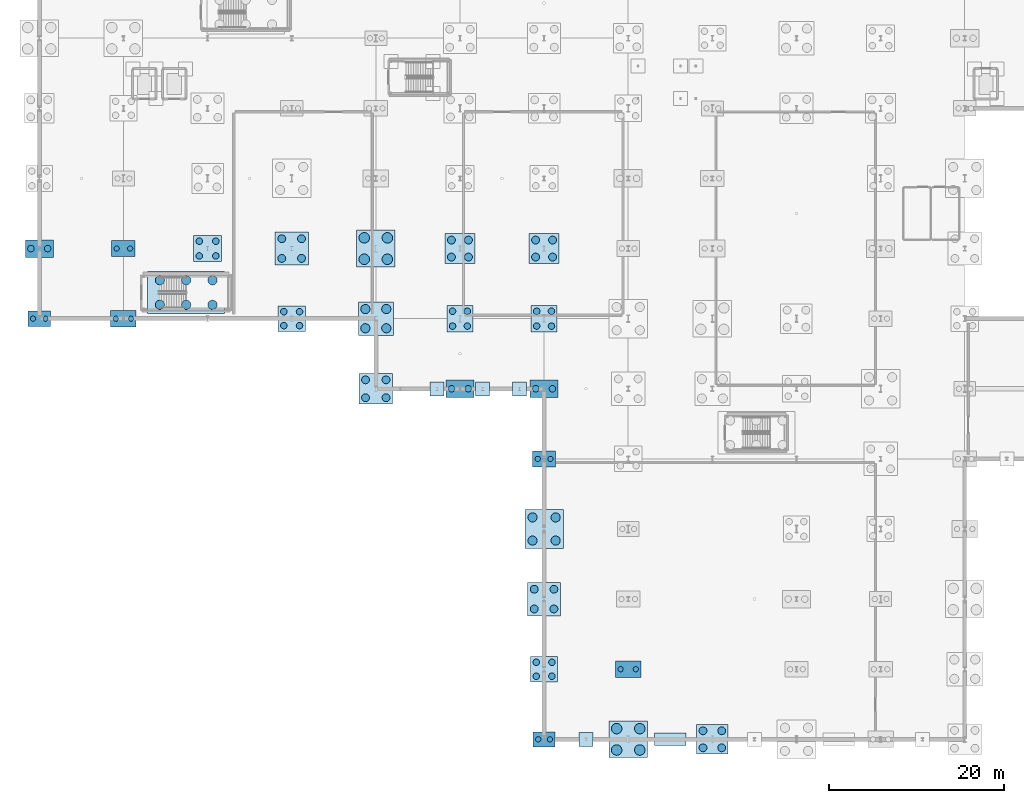
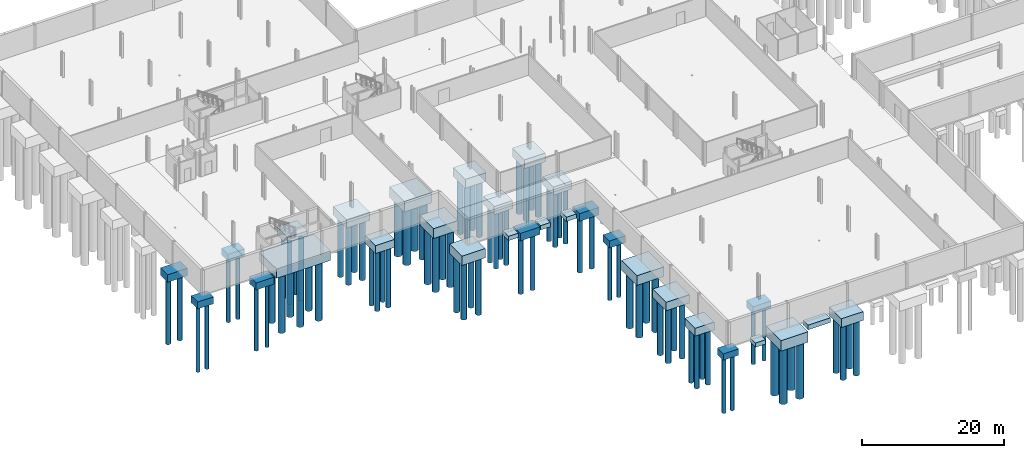
# One storey, part 1 of 47: 84 piles, 30 footings.
"""IFC4 building model written with IfcOpenShell, lengths in metres."""

from ifc_helpers import new_model, si_unit, direction, frame, origin, origin_2d, place, context, subcontext, project, spatial, rectangle, circle, extrude, material, material_profile, profile_set, type_object, element, save


model = new_model("IFC4")

# Units and contexts
model_context = context("Model", 3, precision=1e-05, world=origin(), true_north=direction((0.0, 1.0)))
body_context = subcontext(model_context, "Body", "Model", "MODEL_VIEW")
ifc_project = project(units=[si_unit("LENGTHUNIT", "METRE"), si_unit("AREAUNIT", "SQUARE_METRE"), si_unit("VOLUMEUNIT", "CUBIC_METRE"), si_unit("PLANEANGLEUNIT", "RADIAN"), si_unit("MASSUNIT", "GRAM", prefix="KILO")], contexts=[model_context])

# Site, building, storey
site_placement = place(None, origin())
site = spatial("IfcSite", under=ifc_project, at=site_placement, CompositionType="ELEMENT")
building_placement = place(site_placement, origin())
building = spatial("IfcBuilding", under=site, at=building_placement, Name="Alderhovde Museum", CompositionType="ELEMENT")
storey_placement = place(building_placement, frame((0.0, 0.0, -4.5)))
storey = spatial("IfcBuildingStorey", under=building, at=storey_placement, Name="B1", CompositionType="ELEMENT", Elevation=-4.5)

# Footings
ifc_material_1 = material(Name="Concrete C40/50", Category="concrete")
footing_type_1 = type_object("IfcFootingType", Name="PC-2500x1700x1100", PredefinedType="PILE_CAP", material=ifc_material_1)
footing_1_placement = place(storey_placement, frame((67.199951171875, 0.0, -1.5), z_axis=(0.0, 0.0, 1.0), x_axis=(1.0, 0.0, 0.0)))
element("IfcFooting", 1, at=footing_1_placement, inside=storey, type_object=footing_type_1, Name="Pile Cap at (67.2, 0.0)", PredefinedType="PILE_CAP", context=body_context, shape_type="SweptSolid", body=[
    extrude(rectangle(XDim=2.5, YDim=1.699951171875, at=origin_2d()), origin(), (0.0, 0.0, 1.0), 1.10009765625),
])
ifc_material_2 = material(Name="Concrete C40/50", Category="concrete")
footing_type_2 = type_object("IfcFootingType", Name="PC-2600x1800x1200", PredefinedType="PILE_CAP", material=ifc_material_2)
for number, where, z_axis, x_axis, name in (
    (2, (9.60009765625, 48.0, -1.60009765625), (0.0, 0.0, 1.0), (1.0, 0.0, 0.0), "Pile Cap at (9.6, 48.0)"),
    (3, (67.199951171875, 32.0, -1.60009765625), (0.0, 0.0, 1.0), (1.0, 0.0, 0.0), "Pile Cap at (67.2, 32.0)"),
):
    element("IfcFooting", number, at=place(storey_placement, frame(where, z_axis=z_axis, x_axis=x_axis)), inside=storey, type_object=footing_type_2, Name=name, PredefinedType="PILE_CAP", context=body_context, shape_type="SweptSolid", body=[
        extrude(rectangle(XDim=2.60009765625, YDim=1.800048828125, at=origin_2d()), origin(), (0.0, 0.0, 1.0), 1.199951171875),
    ])
ifc_material_3 = material(Name="Concrete C40/50", Category="concrete")
footing_type_3 = type_object("IfcFootingType", Name="PC-2700x1800x1200", PredefinedType="PILE_CAP", material=ifc_material_3)
footing_2_placement = place(storey_placement, frame((19.199951171875, 56.0, -1.60009765625), z_axis=(0.0, 0.0, 1.0), x_axis=(1.0, 0.0, 0.0)))
element("IfcFooting", 4, at=footing_2_placement, inside=storey, type_object=footing_type_3, Name="Pile Cap at (19.2, 56.0)", PredefinedType="PILE_CAP", context=body_context, shape_type="SweptSolid", body=[
    extrude(rectangle(XDim=2.699951171875, YDim=1.800048828125, at=origin_2d()), origin(), (0.0, 0.0, 1.0), 1.199951171875),
])
ifc_material_4 = material(Name="Concrete C40/50", Category="concrete")
footing_type_4 = type_object("IfcFootingType", Name="PC-2900x1900x1200", PredefinedType="PILE_CAP", material=ifc_material_4)
for number, where, z_axis, x_axis, name in (
    (5, (19.199951171875, 48.0, -1.60009765625), (0.0, 0.0, 1.0), (1.0, 0.0, 0.0), "Pile Cap at (19.2, 48.0)"),
    (6, (76.800048828125, 8.0, -1.60009765625), (0.0, 0.0, 1.0), (1.0, 0.0, 0.0), "Pile Cap at (76.8, 8.0)"),
):
    element("IfcFooting", number, at=place(storey_placement, frame(where, z_axis=z_axis, x_axis=x_axis)), inside=storey, type_object=footing_type_4, Name=name, PredefinedType="PILE_CAP", context=body_context, shape_type="SweptSolid", body=[
        extrude(rectangle(XDim=2.89990234375, YDim=1.89990234375, at=origin_2d()), origin(), (0.0, 0.0, 1.0), 1.199951171875),
    ])
ifc_material_5 = material(Name="Concrete C40/50", Category="concrete")
footing_type_5 = type_object("IfcFootingType", Name="PC-3000x3000x1400", PredefinedType="PILE_CAP", material=ifc_material_5)
for number, where, z_axis, x_axis, name in (
    (7, (57.60009765625, 48.0, -1.800048828125), (0.0, 0.0, 1.0), (1.0, 0.0, 0.0), "Pile Cap at (57.6, 48.0)"),
    (8, (67.199951171875, 48.0, -1.800048828125), (0.0, 0.0, 1.0), (1.0, 0.0, 0.0), "Pile Cap at (67.2, 48.0)"),
):
    element("IfcFooting", number, at=place(storey_placement, frame(where, z_axis=z_axis, x_axis=x_axis)), inside=storey, type_object=footing_type_5, Name=name, PredefinedType="PILE_CAP", context=body_context, shape_type="SweptSolid", body=[
        extrude(rectangle(XDim=3.0, YDim=3.0, at=origin_2d()), origin(), (0.0, 0.0, 1.0), 1.39990234375),
    ])
ifc_material_6 = material(Name="Concrete C40/50", Category="concrete")
footing_type_6 = type_object("IfcFootingType", Name="PC-3100x2900x1350", PredefinedType="PILE_CAP", material=ifc_material_6)
for number, where, z_axis, x_axis, name in (
    (9, (38.39990234375, 48.0, -1.75), (0.0, 0.0, 1.0), (1.0, 0.0, 0.0), "Pile Cap at (38.4, 48.0)"),
    (10, (67.199951171875, 8.0, -1.75), (0.0, 0.0, 1.0), (1.0, 0.0, 0.0), "Pile Cap at (67.2, 8.0)"),
):
    element("IfcFooting", number, at=place(storey_placement, frame(where, z_axis=z_axis, x_axis=x_axis)), inside=storey, type_object=footing_type_6, Name=name, PredefinedType="PILE_CAP", context=body_context, shape_type="SweptSolid", body=[
        extrude(rectangle(XDim=3.10009765625, YDim=2.89990234375, at=origin_2d()), origin(), (0.0, 0.0, 1.0), 1.35009765625),
    ])
ifc_material_7 = material(Name="Concrete C40/50", Category="concrete")
footing_type_7 = type_object("IfcFootingType", Name="PC-3200x2000x1300", PredefinedType="PILE_CAP", material=ifc_material_7)
for number, where, z_axis, x_axis, name in (
    (11, (9.60009765625, 56.0, -1.7001953125), (0.0, 0.0, 1.0), (1.0, 0.0, 0.0), "Pile Cap at (9.6, 56.0)"),
    (12, (57.60009765625, 40.0, -1.7001953125), (0.0, 0.0, 1.0), (1.0, 0.0, 0.0), "Pile Cap at (57.6, 40.0)"),
    (13, (67.199951171875, 40.0, -1.7001953125), (0.0, 0.0, 1.0), (1.0, 0.0, 0.0), "Pile Cap at (67.2, 40.0)"),
):
    element("IfcFooting", number, at=place(storey_placement, frame(where, z_axis=z_axis, x_axis=x_axis)), inside=storey, type_object=footing_type_7, Name=name, PredefinedType="PILE_CAP", context=body_context, shape_type="SweptSolid", body=[
        extrude(rectangle(XDim=3.199951171875, YDim=2.0, at=origin_2d()), origin(), (0.0, 0.0, 1.0), 1.300048828125),
    ])
ifc_material_8 = material(Name="Concrete C40/50", Category="concrete")
footing_type_8 = type_object("IfcFootingType", Name="PC-3200x3000x1400", PredefinedType="PILE_CAP", material=ifc_material_8)
footing_3_placement = place(storey_placement, frame((28.800048828125, 56.0, -1.800048828125), z_axis=(0.0, 0.0, 1.0), x_axis=(1.0, 0.0, 0.0)))
element("IfcFooting", 14, at=footing_3_placement, inside=storey, type_object=footing_type_8, Name="Pile Cap at (28.8, 56.0)", PredefinedType="PILE_CAP", context=body_context, shape_type="SweptSolid", body=[
    extrude(rectangle(XDim=3.199951171875, YDim=3.0, at=origin_2d()), origin(), (0.0, 0.0, 1.0), 1.39990234375),
])
ifc_material_9 = material(Name="Concrete C40/50", Category="concrete")
footing_type_9 = type_object("IfcFootingType", Name="PC-3400x3400x1500", PredefinedType="PILE_CAP", material=ifc_material_9)
for number, where, z_axis, x_axis, name in (
    (15, (57.60009765625, 56.0, -1.89990234375), (0.0, 0.0, 1.0), (1.0, 0.0, 0.0), "Pile Cap at (57.6, 56.0)"),
    (16, (67.199951171875, 56.0, -1.89990234375), (0.0, 0.0, 1.0), (1.0, 0.0, 0.0), "Pile Cap at (67.2, 56.0)"),
):
    element("IfcFooting", number, at=place(storey_placement, frame(where, z_axis=z_axis, x_axis=x_axis)), inside=storey, type_object=footing_type_9, Name=name, PredefinedType="PILE_CAP", context=body_context, shape_type="SweptSolid", body=[
        extrude(rectangle(XDim=3.39990234375, YDim=3.39990234375, at=origin_2d()), origin(), (0.0, 0.0, 1.0), 1.5),
    ])
ifc_material_10 = material(Name="Concrete C40/50", Category="concrete")
footing_type_10 = type_object("IfcFootingType", Name="PC-3600x3400x1500", PredefinedType="PILE_CAP", material=ifc_material_10)
footing_4_placement = place(storey_placement, frame((86.39990234375, 0.0, -1.89990234375), z_axis=(0.0, 0.0, 1.0), x_axis=(1.0, 0.0, 0.0)))
element("IfcFooting", 17, at=footing_4_placement, inside=storey, type_object=footing_type_10, Name="Pile Cap at (86.4, 0.0)", PredefinedType="PILE_CAP", context=body_context, shape_type="SweptSolid", body=[
    extrude(rectangle(XDim=3.60009765625, YDim=3.39990234375, at=origin_2d()), origin(), (0.0, 0.0, 1.0), 1.5),
])
ifc_material_11 = material(Name="Concrete C40/50", Category="concrete")
footing_type_11 = type_object("IfcFootingType", Name="PC-3800x3500x1600", PredefinedType="PILE_CAP", material=ifc_material_11)
footing_5_placement = place(storey_placement, frame((48.0, 40.0, -2.0), z_axis=(0.0, 0.0, 1.0), x_axis=(1.0, 0.0, 0.0)))
element("IfcFooting", 18, at=footing_5_placement, inside=storey, type_object=footing_type_11, Name="Pile Cap at (48.0, 40.0)", PredefinedType="PILE_CAP", context=body_context, shape_type="SweptSolid", body=[
    extrude(rectangle(XDim=3.800048828125, YDim=3.5, at=origin_2d()), origin(), (0.0, 0.0, 1.0), 1.60009765625),
])
ifc_material_12 = material(Name="Concrete C40/50", Category="concrete")
footing_type_12 = type_object("IfcFootingType", Name="PC-3800x3800x1450", PredefinedType="PILE_CAP", material=ifc_material_12)
for number, where, z_axis, x_axis, name in (
    (19, (38.39990234375, 56.0, -1.85009765625), (0.0, 0.0, 1.0), (1.0, 0.0, 0.0), "Pile Cap at (38.4, 56.0)"),
    (20, (67.199951171875, 16.0, -1.85009765625), (0.0, 0.0, 1.0), (1.0, 0.0, 0.0), "Pile Cap at (67.2, 16.0)"),
):
    element("IfcFooting", number, at=place(storey_placement, frame(where, z_axis=z_axis, x_axis=x_axis)), inside=storey, type_object=footing_type_12, Name=name, PredefinedType="PILE_CAP", context=body_context, shape_type="SweptSolid", body=[
        extrude(rectangle(XDim=3.800048828125, YDim=3.800048828125, at=origin_2d()), origin(), (0.0, 0.0, 1.0), 1.449951171875),
    ])
ifc_material_13 = material(Name="Concrete C40/50", Category="concrete")
footing_type_13 = type_object("IfcFootingType", Name="PC-4000x3800x1700", PredefinedType="PILE_CAP", material=ifc_material_13)
footing_6_placement = place(storey_placement, frame((48.0, 48.0, -2.10009765625), z_axis=(0.0, 0.0, 1.0), x_axis=(1.0, 0.0, 0.0)))
element("IfcFooting", 21, at=footing_6_placement, inside=storey, type_object=footing_type_13, Name="Pile Cap at (48.0, 48.0)", PredefinedType="PILE_CAP", context=body_context, shape_type="SweptSolid", body=[
    extrude(rectangle(XDim=4.0, YDim=3.800048828125, at=origin_2d()), origin(), (0.0, 0.0, 1.0), 1.699951171875),
])
ifc_material_14 = material(Name="Concrete C40/50", Category="concrete")
footing_type_14 = type_object("IfcFootingType", Name="PC-4400x4200x1800", PredefinedType="PILE_CAP", material=ifc_material_14)
for number, where, z_axis, x_axis, name in (
    (22, (48.0, 56.0, -2.2001953125), (0.0, 0.0, 1.0), (1.0, 0.0, 0.0), "Pile Cap at (48.0, 56.0)"),
    (23, (76.800048828125, 0.0, -2.2001953125), (0.0, 0.0, 1.0), (1.0, 0.0, 0.0), "Pile Cap at (76.8, 0.0)"),
):
    element("IfcFooting", number, at=place(storey_placement, frame(where, z_axis=z_axis, x_axis=x_axis)), inside=storey, type_object=footing_type_14, Name=name, PredefinedType="PILE_CAP", context=body_context, shape_type="SweptSolid", body=[
        extrude(rectangle(XDim=4.39990234375, YDim=4.199951171875, at=origin_2d()), origin(), (0.0, 0.0, 1.0), 1.800048828125),
    ])
ifc_material_15 = material(Name="Concrete C40/50", Category="concrete")
footing_type_15 = type_object("IfcFootingType", Name="PC-4400x4400x1650", PredefinedType="PILE_CAP", material=ifc_material_15)
footing_7_placement = place(storey_placement, frame((67.199951171875, 24.0, -2.050048828125), z_axis=(0.0, 0.0, 1.0), x_axis=(1.0, 0.0, 0.0)))
element("IfcFooting", 24, at=footing_7_placement, inside=storey, type_object=footing_type_15, Name="Pile Cap at (67.2, 24.0)", PredefinedType="PILE_CAP", context=body_context, shape_type="SweptSolid", body=[
    extrude(rectangle(XDim=4.39990234375, YDim=4.39990234375, at=origin_2d()), origin(), (0.0, 0.0, 1.0), 1.64990234375),
])
ifc_material_16 = material(Name="Concrete C40/50", Category="concrete")
footing_type_16 = type_object("IfcFootingType", Name="PC-CORE-8800x4800x1600", PredefinedType="PILE_CAP", material=ifc_material_16)
footing_8_placement = place(storey_placement, frame((26.360107421875, 50.97998046875, -2.0), z_axis=(0.0, 0.0, 1.0), x_axis=(1.0, 0.0, 0.0)))
element("IfcFooting", 25, at=footing_8_placement, inside=storey, type_object=footing_type_16, Name="Core Pile Cap ST1", PredefinedType="PILE_CAP", context=body_context, shape_type="SweptSolid", body=[
    extrude(rectangle(XDim=8.800048828125, YDim=4.800048828125, at=origin_2d()), origin(), (0.0, 0.0, 1.0), 1.60009765625),
])
ifc_material_17 = material(Name="Concrete C40/50", Category="concrete")
footing_type_17 = type_object("IfcFootingType", Name="PF-1600x1600x750", PredefinedType="PAD_FOOTING", material=ifc_material_17)
for number, where, z_axis, x_axis, name in (
    (26, (55.0, 40.0, -1.14990234375), (0.0, 0.0, 1.0), (1.0, 0.0, 0.0), "Portico Colonnade Pad Footing X=55.0"),
    (27, (60.199951171875, 40.0, -1.14990234375), (0.0, 0.0, 1.0), (1.0, 0.0, 0.0), "Portico Colonnade Pad Footing X=60.2"),
    (28, (64.39990234375, 40.0, -1.14990234375), (0.0, 0.0, 1.0), (1.0, 0.0, 0.0), "Portico Colonnade Pad Footing X=64.4"),
    (29, (72.0, 0.0, -1.14990234375), (0.0, 0.0, 1.0), (1.0, 0.0, 0.0), "Pilaster Pad Footing (72.0, 0.0)"),
):
    element("IfcFooting", number, at=place(storey_placement, frame(where, z_axis=z_axis, x_axis=x_axis)), inside=storey, type_object=footing_type_17, Name=name, PredefinedType="PAD_FOOTING", context=body_context, shape_type="SweptSolid", body=[
        extrude(rectangle(XDim=1.60009765625, YDim=1.60009765625, at=origin_2d()), origin(), (0.0, 0.0, 1.0), 0.75),
    ])

# Piles
ifc_material_18 = material(Name="Concrete C40/50", Category="concrete")
ifc_material_profile_1 = material_profile(ifc_material_18, circle(Radius=0.52490234375, at=origin_2d()), Name="PILE-D1050")
ifc_profile_set_1 = profile_set([ifc_material_profile_1], Name="Concrete C40/50")
pile_type_1 = type_object("IfcPileType", Name="PIL-D1050", PredefinedType="BORED", material=ifc_profile_set_1)
for number, where, z_axis, x_axis, name in (
    (30, (23.360107421875, 49.580078125, -1.89990234375), (0.0, 0.0, -1.0), (1.0, 0.0, 0.0), "Core Bored Pile ST1-P1"),
    (31, (26.360107421875, 49.580078125, -1.89990234375), (0.0, 0.0, -1.0), (1.0, 0.0, 0.0), "Core Bored Pile ST1-P2"),
    (32, (29.360107421875, 49.580078125, -1.89990234375), (0.0, 0.0, -1.0), (1.0, 0.0, 0.0), "Core Bored Pile ST1-P3"),
    (33, (23.360107421875, 52.3798828125, -1.89990234375), (0.0, 0.0, -1.0), (1.0, 0.0, 0.0), "Core Bored Pile ST1-P4"),
    (34, (26.360107421875, 52.3798828125, -1.89990234375), (0.0, 0.0, -1.0), (1.0, 0.0, 0.0), "Core Bored Pile ST1-P5"),
    (35, (29.360107421875, 52.3798828125, -1.89990234375), (0.0, 0.0, -1.0), (1.0, 0.0, 0.0), "Core Bored Pile ST1-P6"),
):
    element("IfcPile", number, at=place(storey_placement, frame(where, z_axis=z_axis, x_axis=x_axis)), inside=storey, type_object=pile_type_1, Name=name, PredefinedType="BORED", context=body_context, shape_type="SweptSolid", body=[
        extrude(circle(Radius=0.52490234375, at=origin_2d()), origin(), (0.0, 0.0, 1.0), 10.30908203125),
    ])
for number, where, z_axis, x_axis, name in (
    (36, (46.804931640625, 46.905029296875, -2.0), (0.0, 0.0, -1.0), (1.0, 0.0, 0.0), "Bored Pile PC-0480-0480-P1"),
    (37, (49.195068359375, 46.905029296875, -2.0), (0.0, 0.0, -1.0), (1.0, 0.0, 0.0), "Bored Pile PC-0480-0480-P2"),
    (38, (46.804931640625, 49.094970703125, -2.0), (0.0, 0.0, -1.0), (1.0, 0.0, 0.0), "Bored Pile PC-0480-0480-P3"),
    (39, (49.195068359375, 49.094970703125, -2.0), (0.0, 0.0, -1.0), (1.0, 0.0, 0.0), "Bored Pile PC-0480-0480-P4"),
):
    element("IfcPile", number, at=place(storey_placement, frame(where, z_axis=z_axis, x_axis=x_axis)), inside=storey, type_object=pile_type_1, Name=name, PredefinedType="BORED", context=body_context, shape_type="SweptSolid", body=[
        extrude(circle(Radius=0.52490234375, at=origin_2d()), origin(), (0.0, 0.0, 1.0), 9.763916015625),
    ])
for number, where, z_axis, x_axis, name in (
    (40, (65.8798828125, 22.679931640625, -1.949951171875), (0.0, 0.0, -1.0), (1.0, 0.0, 0.0), "Bored Pile PC-0672-0240-P1"),
    (41, (68.52001953125, 22.679931640625, -1.949951171875), (0.0, 0.0, -1.0), (1.0, 0.0, 0.0), "Bored Pile PC-0672-0240-P2"),
    (42, (65.8798828125, 25.320068359375, -1.949951171875), (0.0, 0.0, -1.0), (1.0, 0.0, 0.0), "Bored Pile PC-0672-0240-P3"),
    (43, (68.52001953125, 25.320068359375, -1.949951171875), (0.0, 0.0, -1.0), (1.0, 0.0, 0.0), "Bored Pile PC-0672-0240-P4"),
):
    element("IfcPile", number, at=place(storey_placement, frame(where, z_axis=z_axis, x_axis=x_axis)), inside=storey, type_object=pile_type_1, Name=name, PredefinedType="BORED", context=body_context, shape_type="SweptSolid", body=[
        extrude(circle(Radius=0.52490234375, at=origin_2d()), origin(), (0.0, 0.0, 1.0), 9.625),
    ])
ifc_material_19 = material(Name="Concrete C40/50", Category="concrete")
ifc_material_profile_2 = material_profile(ifc_material_19, circle(Radius=0.60009765625, at=origin_2d()), Name="PILE-D1200")
ifc_profile_set_2 = profile_set([ifc_material_profile_2], Name="Concrete C40/50")
pile_type_2 = type_object("IfcPileType", Name="PIL-D1200", PredefinedType="BORED", material=ifc_profile_set_2)
for number, where, z_axis, x_axis, name in (
    (44, (46.679931640625, 54.780029296875, -2.10009765625), (0.0, 0.0, -1.0), (1.0, 0.0, 0.0), "Bored Pile PC-0480-0560-P1"),
    (45, (49.320068359375, 54.780029296875, -2.10009765625), (0.0, 0.0, -1.0), (1.0, 0.0, 0.0), "Bored Pile PC-0480-0560-P2"),
    (46, (46.679931640625, 57.219970703125, -2.10009765625), (0.0, 0.0, -1.0), (1.0, 0.0, 0.0), "Bored Pile PC-0480-0560-P3"),
    (47, (49.320068359375, 57.219970703125, -2.10009765625), (0.0, 0.0, -1.0), (1.0, 0.0, 0.0), "Bored Pile PC-0480-0560-P4"),
    (48, (75.47998046875, -1.219970703125, -2.10009765625), (0.0, 0.0, -1.0), (1.0, 0.0, 0.0), "Bored Pile PC-0768-0000-P1"),
    (49, (78.1201171875, -1.219970703125, -2.10009765625), (0.0, 0.0, -1.0), (1.0, 0.0, 0.0), "Bored Pile PC-0768-0000-P2"),
    (50, (75.47998046875, 1.219970703125, -2.10009765625), (0.0, 0.0, -1.0), (1.0, 0.0, 0.0), "Bored Pile PC-0768-0000-P3"),
    (51, (78.1201171875, 1.219970703125, -2.10009765625), (0.0, 0.0, -1.0), (1.0, 0.0, 0.0), "Bored Pile PC-0768-0000-P4"),
):
    element("IfcPile", number, at=place(storey_placement, frame(where, z_axis=z_axis, x_axis=x_axis)), inside=storey, type_object=pile_type_2, Name=name, PredefinedType="BORED", context=body_context, shape_type="SweptSolid", body=[
        extrude(circle(Radius=0.60009765625, at=origin_2d()), origin(), (0.0, 0.0, 1.0), 9.699951171875),
    ])
ifc_material_20 = material(Name="Concrete C40/50", Category="concrete")
ifc_material_profile_3 = material_profile(ifc_material_20, circle(Radius=0.300048828125, at=origin_2d()), Name="PILE-D600")
ifc_profile_set_3 = profile_set([ifc_material_profile_3], Name="Concrete C40/50")
pile_type_3 = type_object("IfcPileType", Name="PIL-D600", PredefinedType="BORED", material=ifc_profile_set_3)
for number, where, z_axis, x_axis, name in (
    (52, (8.8798828125, 48.0, -1.5), (0.0, 0.0, -1.0), (1.0, 0.0, 0.0), "Bored Pile PC-0096-0480-P1"),
    (53, (10.320068359375, 48.0, -1.5), (0.0, 0.0, -1.0), (1.0, 0.0, 0.0), "Bored Pile PC-0096-0480-P2"),
):
    element("IfcPile", number, at=place(storey_placement, frame(where, z_axis=z_axis, x_axis=x_axis)), inside=storey, type_object=pile_type_3, Name=name, PredefinedType="BORED", context=body_context, shape_type="SweptSolid", body=[
        extrude(circle(Radius=0.300048828125, at=origin_2d()), origin(), (0.0, 0.0, 1.0), 11.492919921875),
    ])
for number, where, z_axis, x_axis, name in (
    (54, (18.330078125, 48.0, -1.5), (0.0, 0.0, -1.0), (1.0, 0.0, 0.0), "Bored Pile PC-0192-0480-P1"),
    (55, (20.070068359375, 48.0, -1.5), (0.0, 0.0, -1.0), (1.0, 0.0, 0.0), "Bored Pile PC-0192-0480-P2"),
    (56, (18.429931640625, 56.0, -1.5), (0.0, 0.0, -1.0), (1.0, 0.0, 0.0), "Bored Pile PC-0192-0560-P1"),
    (57, (19.969970703125, 56.0, -1.5), (0.0, 0.0, -1.0), (1.0, 0.0, 0.0), "Bored Pile PC-0192-0560-P2"),
):
    element("IfcPile", number, at=place(storey_placement, frame(where, z_axis=z_axis, x_axis=x_axis)), inside=storey, type_object=pile_type_3, Name=name, PredefinedType="BORED", context=body_context, shape_type="SweptSolid", body=[
        extrude(circle(Radius=0.300048828125, at=origin_2d()), origin(), (0.0, 0.0, 1.0), 11.18603515625),
    ])
for number, where, z_axis, x_axis, name in (
    (58, (66.530029296875, 0.0, -1.39990234375), (0.0, 0.0, -1.0), (1.0, 0.0, 0.0), "Bored Pile PC-0672-0000-P1"),
    (59, (67.8701171875, 0.0, -1.39990234375), (0.0, 0.0, -1.0), (1.0, 0.0, 0.0), "Bored Pile PC-0672-0000-P2"),
):
    element("IfcPile", number, at=place(storey_placement, frame(where, z_axis=z_axis, x_axis=x_axis)), inside=storey, type_object=pile_type_3, Name=name, PredefinedType="BORED", context=body_context, shape_type="SweptSolid", body=[
        extrude(circle(Radius=0.300048828125, at=origin_2d()), origin(), (0.0, 0.0, 1.0), 9.75),
    ])
for number, where, z_axis, x_axis, name in (
    (60, (66.47998046875, 32.0, -1.5), (0.0, 0.0, -1.0), (1.0, 0.0, 0.0), "Bored Pile PC-0672-0320-P1"),
    (61, (67.919921875, 32.0, -1.5), (0.0, 0.0, -1.0), (1.0, 0.0, 0.0), "Bored Pile PC-0672-0320-P2"),
):
    element("IfcPile", number, at=place(storey_placement, frame(where, z_axis=z_axis, x_axis=x_axis)), inside=storey, type_object=pile_type_3, Name=name, PredefinedType="BORED", context=body_context, shape_type="SweptSolid", body=[
        extrude(circle(Radius=0.300048828125, at=origin_2d()), origin(), (0.0, 0.0, 1.0), 9.64990234375),
    ])
for number, where, z_axis, x_axis, name in (
    (62, (75.929931640625, 8.0, -1.5), (0.0, 0.0, -1.0), (1.0, 0.0, 0.0), "Bored Pile PC-0768-0080-P1"),
    (63, (77.669921875, 8.0, -1.5), (0.0, 0.0, -1.0), (1.0, 0.0, 0.0), "Bored Pile PC-0768-0080-P2"),
):
    element("IfcPile", number, at=place(storey_placement, frame(where, z_axis=z_axis, x_axis=x_axis)), inside=storey, type_object=pile_type_3, Name=name, PredefinedType="BORED", context=body_context, shape_type="SweptSolid", body=[
        extrude(circle(Radius=0.300048828125, at=origin_2d()), origin(), (0.0, 0.0, 1.0), 9.39990234375),
    ])
ifc_material_21 = material(Name="Concrete C40/50", Category="concrete")
ifc_material_profile_4 = material_profile(ifc_material_21, circle(Radius=0.375, at=origin_2d()), Name="PILE-D750")
ifc_profile_set_4 = profile_set([ifc_material_profile_4], Name="Concrete C40/50")
pile_type_4 = type_object("IfcPileType", Name="PIL-D750", PredefinedType="BORED", material=ifc_profile_set_4)
for number, where, z_axis, x_axis, name in (
    (64, (8.64990234375, 56.0, -1.60009765625), (0.0, 0.0, -1.0), (1.0, 0.0, 0.0), "Bored Pile PC-0096-0560-P1"),
    (65, (10.550048828125, 56.0, -1.60009765625), (0.0, 0.0, -1.0), (1.0, 0.0, 0.0), "Bored Pile PC-0096-0560-P2"),
):
    element("IfcPile", number, at=place(storey_placement, frame(where, z_axis=z_axis, x_axis=x_axis)), inside=storey, type_object=pile_type_4, Name=name, PredefinedType="BORED", context=body_context, shape_type="SweptSolid", body=[
        extrude(circle(Radius=0.375, at=origin_2d()), origin(), (0.0, 0.0, 1.0), 11.39306640625),
    ])
for number, where, z_axis, x_axis, name in (
    (66, (27.85498046875, 55.155029296875, -1.699951171875), (0.0, 0.0, -1.0), (1.0, 0.0, 0.0), "Bored Pile PC-0288-0560-P1"),
    (67, (29.7451171875, 55.155029296875, -1.699951171875), (0.0, 0.0, -1.0), (1.0, 0.0, 0.0), "Bored Pile PC-0288-0560-P2"),
    (68, (27.85498046875, 56.844970703125, -1.699951171875), (0.0, 0.0, -1.0), (1.0, 0.0, 0.0), "Bored Pile PC-0288-0560-P3"),
    (69, (29.7451171875, 56.844970703125, -1.699951171875), (0.0, 0.0, -1.0), (1.0, 0.0, 0.0), "Bored Pile PC-0288-0560-P4"),
):
    element("IfcPile", number, at=place(storey_placement, frame(where, z_axis=z_axis, x_axis=x_axis)), inside=storey, type_object=pile_type_4, Name=name, PredefinedType="BORED", context=body_context, shape_type="SweptSolid", body=[
        extrude(circle(Radius=0.375, at=origin_2d()), origin(), (0.0, 0.0, 1.0), 10.677978515625),
    ])
for number, where, z_axis, x_axis, name in (
    (70, (37.5048828125, 47.205078125, -1.64990234375), (0.0, 0.0, -1.0), (1.0, 0.0, 0.0), "Bored Pile PC-0384-0480-P1"),
    (71, (39.294921875, 47.205078125, -1.64990234375), (0.0, 0.0, -1.0), (1.0, 0.0, 0.0), "Bored Pile PC-0384-0480-P2"),
    (72, (37.5048828125, 48.794921875, -1.64990234375), (0.0, 0.0, -1.0), (1.0, 0.0, 0.0), "Bored Pile PC-0384-0480-P3"),
    (73, (39.294921875, 48.794921875, -1.64990234375), (0.0, 0.0, -1.0), (1.0, 0.0, 0.0), "Bored Pile PC-0384-0480-P4"),
):
    element("IfcPile", number, at=place(storey_placement, frame(where, z_axis=z_axis, x_axis=x_axis)), inside=storey, type_object=pile_type_4, Name=name, PredefinedType="BORED", context=body_context, shape_type="SweptSolid", body=[
        extrude(circle(Radius=0.375, at=origin_2d()), origin(), (0.0, 0.0, 1.0), 10.4208984375),
    ])
for number, where, z_axis, x_axis, name in (
    (74, (56.64990234375, 40.0, -1.60009765625), (0.0, 0.0, -1.0), (1.0, 0.0, 0.0), "Bored Pile PC-0576-0400-P1"),
    (75, (58.550048828125, 40.0, -1.60009765625), (0.0, 0.0, -1.0), (1.0, 0.0, 0.0), "Bored Pile PC-0576-0400-P2"),
):
    element("IfcPile", number, at=place(storey_placement, frame(where, z_axis=z_axis, x_axis=x_axis)), inside=storey, type_object=pile_type_4, Name=name, PredefinedType="BORED", context=body_context, shape_type="SweptSolid", body=[
        extrude(circle(Radius=0.375, at=origin_2d()), origin(), (0.0, 0.0, 1.0), 9.85693359375),
    ])
for number, where, z_axis, x_axis, name in (
    (76, (56.7548828125, 47.155029296875, -1.699951171875), (0.0, 0.0, -1.0), (1.0, 0.0, 0.0), "Bored Pile PC-0576-0480-P1"),
    (77, (58.445068359375, 47.155029296875, -1.699951171875), (0.0, 0.0, -1.0), (1.0, 0.0, 0.0), "Bored Pile PC-0576-0480-P2"),
    (78, (56.7548828125, 48.844970703125, -1.699951171875), (0.0, 0.0, -1.0), (1.0, 0.0, 0.0), "Bored Pile PC-0576-0480-P3"),
    (79, (58.445068359375, 48.844970703125, -1.699951171875), (0.0, 0.0, -1.0), (1.0, 0.0, 0.0), "Bored Pile PC-0576-0480-P4"),
):
    element("IfcPile", number, at=place(storey_placement, frame(where, z_axis=z_axis, x_axis=x_axis)), inside=storey, type_object=pile_type_4, Name=name, PredefinedType="BORED", context=body_context, shape_type="SweptSolid", body=[
        extrude(circle(Radius=0.375, at=origin_2d()), origin(), (0.0, 0.0, 1.0), 9.757080078125),
    ])
for number, where, z_axis, x_axis, name in (
    (80, (66.304931640625, 7.205078125, -1.64990234375), (0.0, 0.0, -1.0), (1.0, 0.0, 0.0), "Bored Pile PC-0672-0080-P1"),
    (81, (68.094970703125, 7.205078125, -1.64990234375), (0.0, 0.0, -1.0), (1.0, 0.0, 0.0), "Bored Pile PC-0672-0080-P2"),
    (82, (66.304931640625, 8.794921875, -1.64990234375), (0.0, 0.0, -1.0), (1.0, 0.0, 0.0), "Bored Pile PC-0672-0080-P3"),
    (83, (68.094970703125, 8.794921875, -1.64990234375), (0.0, 0.0, -1.0), (1.0, 0.0, 0.0), "Bored Pile PC-0672-0080-P4"),
):
    element("IfcPile", number, at=place(storey_placement, frame(where, z_axis=z_axis, x_axis=x_axis)), inside=storey, type_object=pile_type_4, Name=name, PredefinedType="BORED", context=body_context, shape_type="SweptSolid", body=[
        extrude(circle(Radius=0.375, at=origin_2d()), origin(), (0.0, 0.0, 1.0), 9.5),
    ])
for number, where, z_axis, x_axis, name in (
    (84, (66.25, 40.0, -1.60009765625), (0.0, 0.0, -1.0), (1.0, 0.0, 0.0), "Bored Pile PC-0672-0400-P1"),
    (85, (68.14990234375, 40.0, -1.60009765625), (0.0, 0.0, -1.0), (1.0, 0.0, 0.0), "Bored Pile PC-0672-0400-P2"),
):
    element("IfcPile", number, at=place(storey_placement, frame(where, z_axis=z_axis, x_axis=x_axis)), inside=storey, type_object=pile_type_4, Name=name, PredefinedType="BORED", context=body_context, shape_type="SweptSolid", body=[
        extrude(circle(Radius=0.375, at=origin_2d()), origin(), (0.0, 0.0, 1.0), 9.550048828125),
    ])
for number, where, z_axis, x_axis, name in (
    (86, (66.35498046875, 47.155029296875, -1.699951171875), (0.0, 0.0, -1.0), (1.0, 0.0, 0.0), "Bored Pile PC-0672-0480-P1"),
    (87, (68.044921875, 47.155029296875, -1.699951171875), (0.0, 0.0, -1.0), (1.0, 0.0, 0.0), "Bored Pile PC-0672-0480-P2"),
    (88, (66.35498046875, 48.844970703125, -1.699951171875), (0.0, 0.0, -1.0), (1.0, 0.0, 0.0), "Bored Pile PC-0672-0480-P3"),
    (89, (68.044921875, 48.844970703125, -1.699951171875), (0.0, 0.0, -1.0), (1.0, 0.0, 0.0), "Bored Pile PC-0672-0480-P4"),
):
    element("IfcPile", number, at=place(storey_placement, frame(where, z_axis=z_axis, x_axis=x_axis)), inside=storey, type_object=pile_type_4, Name=name, PredefinedType="BORED", context=body_context, shape_type="SweptSolid", body=[
        extrude(circle(Radius=0.375, at=origin_2d()), origin(), (0.0, 0.0, 1.0), 9.449951171875),
    ])
ifc_material_22 = material(Name="Concrete C40/50", Category="concrete")
ifc_material_profile_5 = material_profile(ifc_material_22, circle(Radius=0.449951171875, at=origin_2d()), Name="PILE-D900")
ifc_profile_set_5 = profile_set([ifc_material_profile_5], Name="Concrete C40/50")
pile_type_5 = type_object("IfcPileType", Name="PIL-D900", PredefinedType="BORED", material=ifc_profile_set_5)
for number, where, z_axis, x_axis, name in (
    (90, (37.27490234375, 54.875, -1.75), (0.0, 0.0, -1.0), (1.0, 0.0, 0.0), "Bored Pile PC-0384-0560-P1"),
    (91, (39.52490234375, 54.875, -1.75), (0.0, 0.0, -1.0), (1.0, 0.0, 0.0), "Bored Pile PC-0384-0560-P2"),
    (92, (37.27490234375, 57.125, -1.75), (0.0, 0.0, -1.0), (1.0, 0.0, 0.0), "Bored Pile PC-0384-0560-P3"),
    (93, (39.52490234375, 57.125, -1.75), (0.0, 0.0, -1.0), (1.0, 0.0, 0.0), "Bored Pile PC-0384-0560-P4"),
):
    element("IfcPile", number, at=place(storey_placement, frame(where, z_axis=z_axis, x_axis=x_axis)), inside=storey, type_object=pile_type_5, Name=name, PredefinedType="BORED", context=body_context, shape_type="SweptSolid", body=[
        extrude(circle(Radius=0.449951171875, at=origin_2d()), origin(), (0.0, 0.0, 1.0), 10.321044921875),
    ])
for number, where, z_axis, x_axis, name in (
    (94, (46.830078125, 38.97998046875, -1.89990234375), (0.0, 0.0, -1.0), (1.0, 0.0, 0.0), "Bored Pile PC-0480-0400-P1"),
    (95, (49.169921875, 38.97998046875, -1.89990234375), (0.0, 0.0, -1.0), (1.0, 0.0, 0.0), "Bored Pile PC-0480-0400-P2"),
    (96, (46.830078125, 41.02001953125, -1.89990234375), (0.0, 0.0, -1.0), (1.0, 0.0, 0.0), "Bored Pile PC-0480-0400-P3"),
    (97, (49.169921875, 41.02001953125, -1.89990234375), (0.0, 0.0, -1.0), (1.0, 0.0, 0.0), "Bored Pile PC-0480-0400-P4"),
):
    element("IfcPile", number, at=place(storey_placement, frame(where, z_axis=z_axis, x_axis=x_axis)), inside=storey, type_object=pile_type_5, Name=name, PredefinedType="BORED", context=body_context, shape_type="SweptSolid", body=[
        extrude(circle(Radius=0.449951171875, at=origin_2d()), origin(), (0.0, 0.0, 1.0), 9.864013671875),
    ])
for number, where, z_axis, x_axis, name in (
    (98, (56.6298828125, 55.030029296875, -1.800048828125), (0.0, 0.0, -1.0), (1.0, 0.0, 0.0), "Bored Pile PC-0576-0560-P1"),
    (99, (58.570068359375, 55.030029296875, -1.800048828125), (0.0, 0.0, -1.0), (1.0, 0.0, 0.0), "Bored Pile PC-0576-0560-P2"),
    (100, (56.6298828125, 56.969970703125, -1.800048828125), (0.0, 0.0, -1.0), (1.0, 0.0, 0.0), "Bored Pile PC-0576-0560-P3"),
    (101, (58.570068359375, 56.969970703125, -1.800048828125), (0.0, 0.0, -1.0), (1.0, 0.0, 0.0), "Bored Pile PC-0576-0560-P4"),
):
    element("IfcPile", number, at=place(storey_placement, frame(where, z_axis=z_axis, x_axis=x_axis)), inside=storey, type_object=pile_type_5, Name=name, PredefinedType="BORED", context=body_context, shape_type="SweptSolid", body=[
        extrude(circle(Radius=0.449951171875, at=origin_2d()), origin(), (0.0, 0.0, 1.0), 9.656982421875),
    ])
for number, where, z_axis, x_axis, name in (
    (102, (66.074951171875, 14.875, -1.75), (0.0, 0.0, -1.0), (1.0, 0.0, 0.0), "Bored Pile PC-0672-0160-P1"),
    (103, (68.324951171875, 14.875, -1.75), (0.0, 0.0, -1.0), (1.0, 0.0, 0.0), "Bored Pile PC-0672-0160-P2"),
    (104, (66.074951171875, 17.125, -1.75), (0.0, 0.0, -1.0), (1.0, 0.0, 0.0), "Bored Pile PC-0672-0160-P3"),
    (105, (68.324951171875, 17.125, -1.75), (0.0, 0.0, -1.0), (1.0, 0.0, 0.0), "Bored Pile PC-0672-0160-P4"),
):
    element("IfcPile", number, at=place(storey_placement, frame(where, z_axis=z_axis, x_axis=x_axis)), inside=storey, type_object=pile_type_5, Name=name, PredefinedType="BORED", context=body_context, shape_type="SweptSolid", body=[
        extrude(circle(Radius=0.449951171875, at=origin_2d()), origin(), (0.0, 0.0, 1.0), 9.60009765625),
    ])
for number, where, z_axis, x_axis, name in (
    (106, (66.22998046875, 55.030029296875, -1.800048828125), (0.0, 0.0, -1.0), (1.0, 0.0, 0.0), "Bored Pile PC-0672-0560-P1"),
    (107, (68.169921875, 55.030029296875, -1.800048828125), (0.0, 0.0, -1.0), (1.0, 0.0, 0.0), "Bored Pile PC-0672-0560-P2"),
    (108, (66.22998046875, 56.969970703125, -1.800048828125), (0.0, 0.0, -1.0), (1.0, 0.0, 0.0), "Bored Pile PC-0672-0560-P3"),
    (109, (68.169921875, 56.969970703125, -1.800048828125), (0.0, 0.0, -1.0), (1.0, 0.0, 0.0), "Bored Pile PC-0672-0560-P4"),
    (110, (85.330078125, -0.969970703125, -1.800048828125), (0.0, 0.0, -1.0), (1.0, 0.0, 0.0), "Bored Pile PC-0864-0000-P1"),
    (111, (87.469970703125, -0.969970703125, -1.800048828125), (0.0, 0.0, -1.0), (1.0, 0.0, 0.0), "Bored Pile PC-0864-0000-P2"),
    (112, (85.330078125, 0.969970703125, -1.800048828125), (0.0, 0.0, -1.0), (1.0, 0.0, 0.0), "Bored Pile PC-0864-0000-P3"),
    (113, (87.469970703125, 0.969970703125, -1.800048828125), (0.0, 0.0, -1.0), (1.0, 0.0, 0.0), "Bored Pile PC-0864-0000-P4"),
):
    element("IfcPile", number, at=place(storey_placement, frame(where, z_axis=z_axis, x_axis=x_axis)), inside=storey, type_object=pile_type_5, Name=name, PredefinedType="BORED", context=body_context, shape_type="SweptSolid", body=[
        extrude(circle(Radius=0.449951171875, at=origin_2d()), origin(), (0.0, 0.0, 1.0), 9.550048828125),
    ])

# Footing
ifc_material_23 = material(Name="Concrete C40/50", Category="concrete")
footing_type_18 = type_object("IfcFootingType", Name="SF-RET-1400x800", PredefinedType="STRIP_FOOTING", material=ifc_material_23)
footing_9_placement = place(storey_placement, frame((81.60009765625, 0.0, -1.2001953125), z_axis=(0.0, 0.0, 1.0), x_axis=(1.0, 0.0, 0.0)))
element("IfcFooting", 114, at=footing_9_placement, inside=storey, type_object=footing_type_18, Name="Retaining Strip Footing SF-B1-S1", PredefinedType="STRIP_FOOTING", context=body_context, shape_type="SweptSolid", body=[
    extrude(rectangle(XDim=3.60009765625, YDim=1.39990234375, at=origin_2d()), origin(), (0.0, 0.0, 1.0), 0.800048828125),
])

save(model, "model.ifc")
